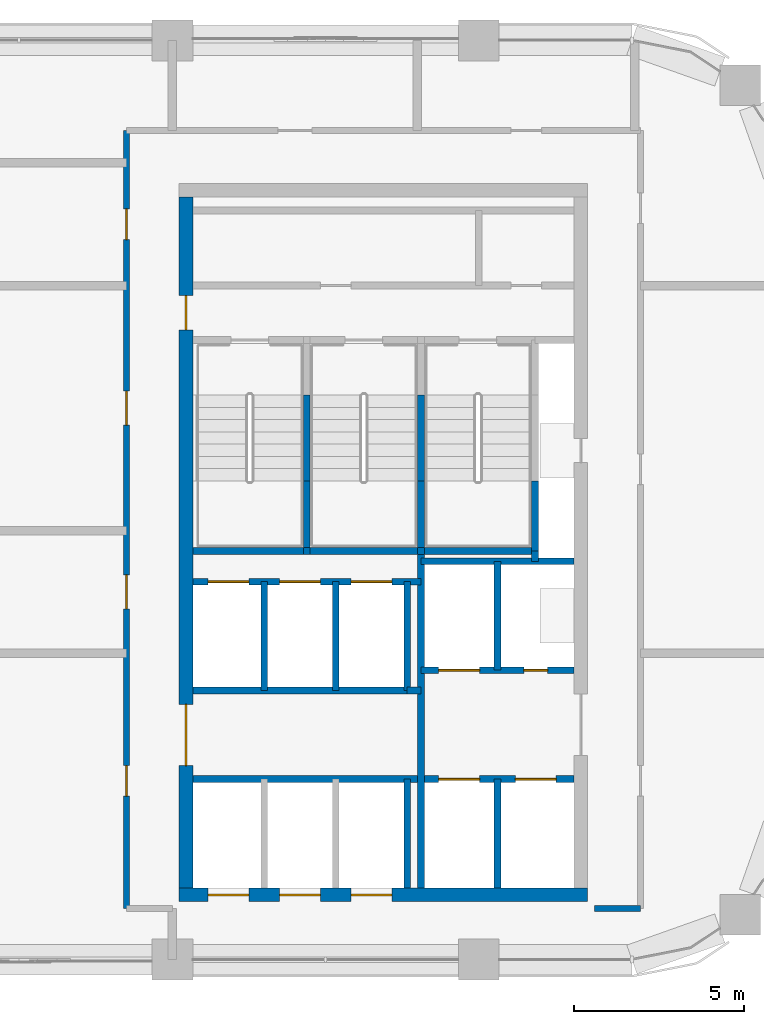
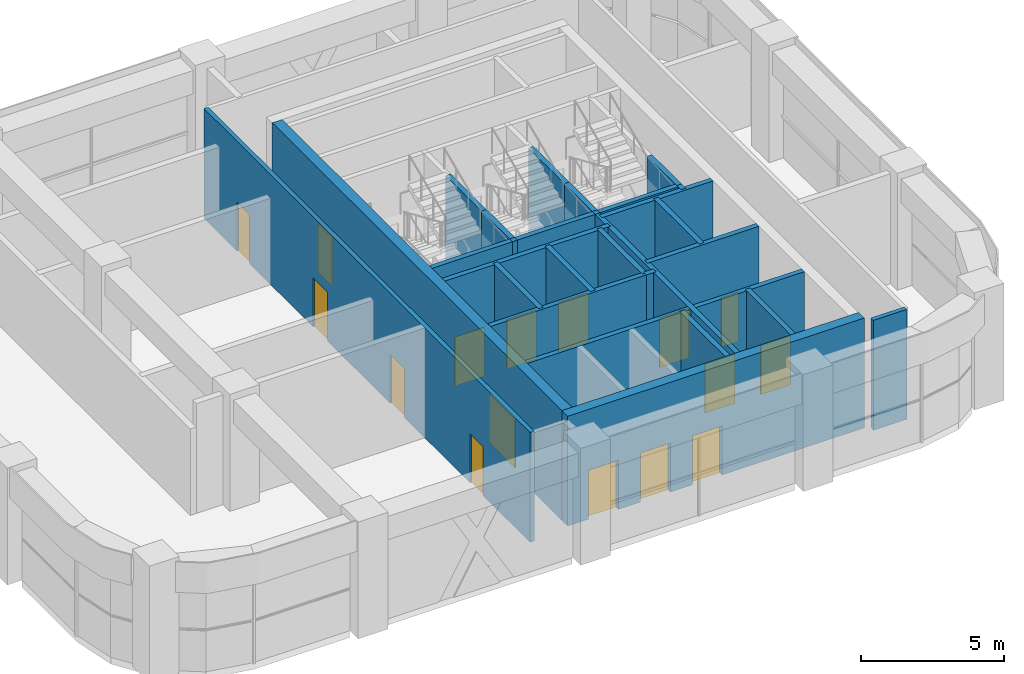
# One storey, part 8 of 15: 28 walls, 16 doors, 16 openings.
"""IFC4 building model written with IfcOpenShell, lengths in metres."""

from ifc_helpers import new_model, si_unit, direction, frame, frame_2d, origin, place, context, subcontext, project, spatial, rectangle, extrude, material, layer, layer_set, type_object, element, fill, save


model = new_model("IFC4")

# Units and contexts
model_context = context("Model", 3, precision=1e-05, world=origin(), true_north=direction((0.0, 1.0)))
body_context = subcontext(model_context, "Body", "Model", "MODEL_VIEW")
ifc_project = project(units=[si_unit("LENGTHUNIT", "METRE"), si_unit("AREAUNIT", "SQUARE_METRE"), si_unit("VOLUMEUNIT", "CUBIC_METRE"), si_unit("PLANEANGLEUNIT", "RADIAN"), si_unit("MASSUNIT", "GRAM", prefix="KILO")], contexts=[model_context])

# Site, building, storey
site_placement = place(None, origin())
site = spatial("IfcSite", under=ifc_project, at=site_placement, CompositionType="ELEMENT")
building_placement = place(site_placement, origin())
building = spatial("IfcBuilding", under=site, at=building_placement, Name="Tessera Arch", CompositionType="ELEMENT")
storey_placement = place(building_placement, frame((0.0, 0.0, 285.199951171875)))
storey = spatial("IfcBuildingStorey", under=building, at=storey_placement, Name="L69", CompositionType="ELEMENT", Elevation=285.199951171875)

# Wall
ifc_material_1 = material(Name="Gypsum board on steel stud", Category="steel")
ifc_layer_1 = layer(ifc_material_1, 0.125)
ifc_layer_set_1 = layer_set([ifc_layer_1], Name="Core partition 125 EI 60")
wall_type_1 = type_object("IfcWallType", Name="Core partition 125 EI 60", PredefinedType="PARTITIONING", material=ifc_layer_set_1)
wall_1_placement = place(storey_placement, frame((42.89990234375, 34.89990234375, 0.0), z_axis=(0.0, 0.0, 1.0), x_axis=(1.0, 0.0, 0.0)))
element("IfcWall", 1, at=wall_1_placement, inside=storey, type_object=wall_type_1, Name="L69 C1 partition wall 22", PredefinedType="PARTITIONING", context=body_context, shape_type="SweptSolid", body=[
    extrude(rectangle(XDim=0.400146484375, YDim=0.199951171875, at=frame_2d((0.2001953125, 0.0))), origin(), (0.0, 0.0, 1.0), 4.699951171875),
])

# Wall, openings, doors
ifc_material_2 = material(Name="Concrete C50/60", Category="concrete")
ifc_layer_2 = layer(ifc_material_2, 0.39990234375)
ifc_layer_set_2 = layer_set([ifc_layer_2], Name="Core shell wall 400 C50-60")
wall_type_2 = type_object("IfcWallType", Name="Core shell wall 400 C50-60", PredefinedType="SHEAR", material=ifc_layer_set_2)
wall_2_placement = place(storey_placement, frame((36.199951171875, 28.89990234375, 0.0), z_axis=(0.0, 0.0, 1.0), x_axis=(1.0, 0.0, 0.0)))
wall_2 = element("IfcWall", 2, at=wall_2_placement, inside=storey, type_object=wall_type_2, Name="L69 C1 core wall S", PredefinedType="SHEAR", context=body_context, shape_type="SweptSolid", body=[
    extrude(rectangle(XDim=12.0, YDim=0.39990234375, at=frame_2d((6.0, 0.0))), origin(), (0.0, 0.0, 1.0), 4.699951171875),
])
opening_1_placement = place(wall_2_placement, frame((0.85009765625, 0.0, 0.0)))
opening_1 = element("IfcOpeningElement", 3, at=opening_1_placement, cuts=wall_2, Name="Opening L69-C01", PredefinedType="OPENING", context=body_context, shape_type="SweptSolid", body=[
    extrude(rectangle(XDim=1.199951171875, YDim=2.10009765625, at=frame_2d((0.60009765625, 1.050048828125))), frame((0.0, 0.2099609375, 0.0), z_axis=(0.0, -1.0, 0.0), x_axis=(1.0, 0.0, 0.0)), (0.0, 0.0, 1.0), 0.419921875),
])
opening_2_placement = place(wall_2_placement, frame((2.949951171875, 0.0, 0.0)))
opening_2 = element("IfcOpeningElement", 4, at=opening_2_placement, cuts=wall_2, Name="Opening L69-C03", PredefinedType="OPENING", context=body_context, shape_type="SweptSolid", body=[
    extrude(rectangle(XDim=1.199951171875, YDim=2.10009765625, at=frame_2d((0.60009765625, 1.050048828125))), frame((0.0, 0.2099609375, 0.0), z_axis=(0.0, -1.0, 0.0), x_axis=(1.0, 0.0, 0.0)), (0.0, 0.0, 1.0), 0.419921875),
])
opening_3_placement = place(wall_2_placement, frame((5.050048828125, 0.0, 0.0)))
opening_3 = element("IfcOpeningElement", 5, at=opening_3_placement, cuts=wall_2, Name="Opening L69-C05", PredefinedType="OPENING", context=body_context, shape_type="SweptSolid", body=[
    extrude(rectangle(XDim=1.199951171875, YDim=2.10009765625, at=frame_2d((0.60009765625, 1.050048828125))), frame((0.0, 0.2099609375, 0.0), z_axis=(0.0, -1.0, 0.0), x_axis=(1.0, 0.0, 0.0)), (0.0, 0.0, 1.0), 0.419921875),
])
ifc_material_3 = material(Name="Stainless steel AISI 304", Category="steel")
door_type_1 = type_object("IfcDoorType", Name="Sliding landing door 1200 x 2100", OperationType="SLIDING_TO_LEFT", PredefinedType="DOOR", material=ifc_material_3)
door_1_placement = place(opening_1_placement, origin())
door_1 = element("IfcDoor", 6, at=door_1_placement, inside=storey, type_object=door_type_1, Name="L69 HR1 lift landing door C01 type LD", OperationType="SLIDING_TO_LEFT", OverallHeight=2.10009765625, OverallWidth=1.199951171875, PredefinedType="DOOR", context=body_context, shape_type="SweptSolid", body=[
    extrude(rectangle(XDim=1.199951171875, YDim=2.10009765625, at=frame_2d((0.60009765625, 1.050048828125))), frame((0.0, 0.02490234375, 0.0), z_axis=(0.0, -1.0, 0.0), x_axis=(1.0, 0.0, 0.0)), (0.0, 0.0, 1.0), 0.050048828125),
])
fill(opening_1, door_1)
door_2_placement = place(opening_2_placement, origin())
door_2 = element("IfcDoor", 7, at=door_2_placement, inside=storey, type_object=door_type_1, Name="L69 HR2 lift landing door C03 type LD", OperationType="SLIDING_TO_LEFT", OverallHeight=2.10009765625, OverallWidth=1.199951171875, PredefinedType="DOOR", context=body_context, shape_type="SweptSolid", body=[
    extrude(rectangle(XDim=1.199951171875, YDim=2.10009765625, at=frame_2d((0.60009765625, 1.050048828125))), frame((0.0, 0.02490234375, 0.0), z_axis=(0.0, -1.0, 0.0), x_axis=(1.0, 0.0, 0.0)), (0.0, 0.0, 1.0), 0.050048828125),
])
fill(opening_2, door_2)
door_3_placement = place(opening_3_placement, origin())
door_3 = element("IfcDoor", 8, at=door_3_placement, inside=storey, type_object=door_type_1, Name="L69 HR3 lift landing door C05 type LD", OperationType="SLIDING_TO_LEFT", OverallHeight=2.10009765625, OverallWidth=1.199951171875, PredefinedType="DOOR", context=body_context, shape_type="SweptSolid", body=[
    extrude(rectangle(XDim=1.199951171875, YDim=2.10009765625, at=frame_2d((0.60009765625, 1.050048828125))), frame((0.0, 0.02490234375, 0.0), z_axis=(0.0, -1.0, 0.0), x_axis=(1.0, 0.0, 0.0)), (0.0, 0.0, 1.0), 0.050048828125),
])
fill(opening_3, door_3)

wall_3_placement = place(storey_placement, frame((36.39990234375, 29.10009765625, 0.0), z_axis=(0.0, 0.0, 1.0), x_axis=(0.0, 1.0, 0.0)))
wall_3 = element("IfcWall", 9, at=wall_3_placement, inside=storey, type_object=wall_type_2, Name="L69 C1 core wall W", PredefinedType="SHEAR", context=body_context, shape_type="SweptSolid", body=[
    extrude(rectangle(XDim=20.2998046875, YDim=0.39990234375, at=frame_2d((10.14990234375, 0.0))), origin(), (0.0, 0.0, 1.0), 4.699951171875),
])
opening_4_placement = place(wall_3_placement, frame((3.60009765625, 0.0, 0.0)))
opening_4 = element("IfcOpeningElement", 10, at=opening_4_placement, cuts=wall_3, Name="Opening L69-C10", PredefinedType="OPENING", context=body_context, shape_type="SweptSolid", body=[
    extrude(rectangle(XDim=1.800048828125, YDim=2.10009765625, at=frame_2d((0.89990234375, 1.050048828125))), frame((0.0, 0.2099609375, 0.0), z_axis=(0.0, -1.0, 0.0), x_axis=(1.0, 0.0, 0.0)), (0.0, 0.0, 1.0), 0.419921875),
])
opening_5_placement = place(wall_3_placement, frame((16.39990234375, 0.0, 0.0)))
opening_5 = element("IfcOpeningElement", 11, at=opening_5_placement, cuts=wall_3, Name="Opening L69-C17", PredefinedType="OPENING", context=body_context, shape_type="SweptSolid", body=[
    extrude(rectangle(XDim=1.0, YDim=2.10009765625, at=frame_2d((0.5, 1.050048828125))), frame((0.0, 0.2099609375, 0.0), z_axis=(0.0, -1.0, 0.0), x_axis=(1.0, 0.0, 0.0)), (0.0, 0.0, 1.0), 0.419921875),
])
ifc_material_4 = material(Name="Steel door leaf", Category="steel")
door_type_2 = type_object("IfcDoorType", Name="Corridor door FD60 1000 x 2100", OperationType="SINGLE_SWING_LEFT", PredefinedType="DOOR", material=ifc_material_4)
door_4_placement = place(opening_5_placement, origin())
door_4 = element("IfcDoor", 12, at=door_4_placement, inside=storey, type_object=door_type_2, Name="L69 C1 door 17 C17 type D12", OperationType="SINGLE_SWING_RIGHT", OverallHeight=2.10009765625, OverallWidth=1.0, PredefinedType="DOOR", context=body_context, shape_type="SweptSolid", body=[
    extrude(rectangle(XDim=1.0, YDim=2.10009765625, at=frame_2d((0.5, 1.050048828125))), frame((0.0, 0.02490234375, 0.0), z_axis=(0.0, -1.0, 0.0), x_axis=(1.0, 0.0, 0.0)), (0.0, 0.0, 1.0), 0.050048828125),
])
fill(opening_5, door_4)
ifc_material_5 = material(Name="Glazed steel door leaf", Category="steel")
door_type_3 = type_object("IfcDoorType", Name="Lobby double door FD30S 1800 x 2100", OperationType="DOUBLE_DOOR_SINGLE_SWING", PredefinedType="DOOR", material=ifc_material_5)
door_5_placement = place(opening_4_placement, origin())
door_5 = element("IfcDoor", 13, at=door_5_placement, inside=storey, type_object=door_type_3, Name="L69 C1 door 10 C10 type D06", OperationType="DOUBLE_DOOR_SINGLE_SWING", OverallHeight=2.10009765625, OverallWidth=1.800048828125, PredefinedType="DOOR", context=body_context, shape_type="SweptSolid", body=[
    extrude(rectangle(XDim=1.800048828125, YDim=2.10009765625, at=frame_2d((0.89990234375, 1.050048828125))), frame((0.0, 0.02490234375, 0.0), z_axis=(0.0, -1.0, 0.0), x_axis=(1.0, 0.0, 0.0)), (0.0, 0.0, 1.0), 0.050048828125),
])
fill(opening_4, door_5)

# Wall
ifc_material_6 = material(Name="Gypsum board on deep steel stud with mineral wool", Category="steel")
ifc_layer_3 = layer(ifc_material_6, 0.175048828125)
ifc_layer_set_3 = layer_set([ifc_layer_3], Name="Corridor wall 175 EI 60")
wall_type_3 = type_object("IfcWallType", Name="Corridor wall 175 EI 60", PredefinedType="PARTITIONING", material=ifc_layer_set_3)
wall_4_placement = place(storey_placement, frame((48.39990234375, 28.5, 0.0), z_axis=(0.0, 0.0, 1.0), x_axis=(1.0, 0.0, 0.0)))
element("IfcWall", 14, at=wall_4_placement, inside=storey, type_object=wall_type_3, Name="L69 partition 2", PredefinedType="PARTITIONING", context=body_context, shape_type="SweptSolid", body=[
    extrude(rectangle(XDim=1.35009765625, YDim=0.175048828125, at=frame_2d((0.675048828125, 0.0))), origin(), (0.0, 0.0, 1.0), 4.699951171875),
])

# Wall, openings, doors
wall_5_placement = place(storey_placement, frame((34.64990234375, 28.5, 0.0), z_axis=(0.0, 0.0, 1.0), x_axis=(0.0, 1.0, 0.0)))
wall_5 = element("IfcWall", 15, at=wall_5_placement, inside=storey, type_object=wall_type_3, Name="L69 partition 4", PredefinedType="PARTITIONING", context=body_context, shape_type="SweptSolid", body=[
    extrude(rectangle(XDim=22.85009765625, YDim=0.175048828125, at=frame_2d((11.425048828125, 0.0))), origin(), (0.0, 0.0, 1.0), 4.699951171875),
])
opening_6_placement = place(wall_5_placement, frame((3.300048828125, 0.0, 0.0)))
opening_6 = element("IfcOpeningElement", 16, at=opening_6_placement, cuts=wall_5, Name="Opening L69-D002", PredefinedType="OPENING", context=body_context, shape_type="SweptSolid", body=[
    extrude(rectangle(XDim=0.89990234375, YDim=2.10009765625, at=frame_2d((0.449951171875, 1.050048828125))), frame((0.0, 0.097412109375, 0.0), z_axis=(0.0, -1.0, 0.0), x_axis=(1.0, 0.0, 0.0)), (0.0, 0.0, 1.0), 0.195068359375),
])
opening_7_placement = place(wall_5_placement, frame((8.800048828125, 0.0, 0.0)))
opening_7 = element("IfcOpeningElement", 17, at=opening_7_placement, cuts=wall_5, Name="Opening L69-D003", PredefinedType="OPENING", context=body_context, shape_type="SweptSolid", body=[
    extrude(rectangle(XDim=1.0, YDim=2.10009765625, at=frame_2d((0.5, 1.050048828125))), frame((0.0, 0.097412109375, 0.0), z_axis=(0.0, -1.0, 0.0), x_axis=(1.0, 0.0, 0.0)), (0.0, 0.0, 1.0), 0.195068359375),
])
opening_8_placement = place(wall_5_placement, frame((14.199951171875, 0.0, 0.0)))
opening_8 = element("IfcOpeningElement", 18, at=opening_8_placement, cuts=wall_5, Name="Opening L69-D005", PredefinedType="OPENING", context=body_context, shape_type="SweptSolid", body=[
    extrude(rectangle(XDim=1.0, YDim=2.10009765625, at=frame_2d((0.5, 1.050048828125))), frame((0.0, 0.097412109375, 0.0), z_axis=(0.0, -1.0, 0.0), x_axis=(1.0, 0.0, 0.0)), (0.0, 0.0, 1.0), 0.195068359375),
])
opening_9_placement = place(wall_5_placement, frame((19.64990234375, 0.0, 0.0)))
opening_9 = element("IfcOpeningElement", 19, at=opening_9_placement, cuts=wall_5, Name="Opening L69-D006", PredefinedType="OPENING", context=body_context, shape_type="SweptSolid", body=[
    extrude(rectangle(XDim=0.89990234375, YDim=2.10009765625, at=frame_2d((0.449951171875, 1.050048828125))), frame((0.0, 0.097412109375, 0.0), z_axis=(0.0, -1.0, 0.0), x_axis=(1.0, 0.0, 0.0)), (0.0, 0.0, 1.0), 0.195068359375),
])
ifc_material_7 = material(Name="Fire-rated door leaf")
door_type_4 = type_object("IfcDoorType", Name="Entrance door FD30S 1000 x 2100", OperationType="SINGLE_SWING_LEFT", PredefinedType="DOOR", material=ifc_material_7)
door_6_placement = place(opening_7_placement, origin())
door_6 = element("IfcDoor", 20, at=door_6_placement, inside=storey, type_object=door_type_4, Name="L69 door D003 type D03", OperationType="SINGLE_SWING_LEFT", OverallHeight=2.10009765625, OverallWidth=1.0, PredefinedType="DOOR", context=body_context, shape_type="SweptSolid", body=[
    extrude(rectangle(XDim=1.0, YDim=2.10009765625, at=frame_2d((0.5, 1.050048828125))), frame((0.0, 0.02490234375, 0.0), z_axis=(0.0, -1.0, 0.0), x_axis=(1.0, 0.0, 0.0)), (0.0, 0.0, 1.0), 0.050048828125),
])
fill(opening_7, door_6)
door_7_placement = place(opening_8_placement, origin())
door_7 = element("IfcDoor", 21, at=door_7_placement, inside=storey, type_object=door_type_4, Name="L69 door D005 type D03", OperationType="SINGLE_SWING_LEFT", OverallHeight=2.10009765625, OverallWidth=1.0, PredefinedType="DOOR", context=body_context, shape_type="SweptSolid", body=[
    extrude(rectangle(XDim=1.0, YDim=2.10009765625, at=frame_2d((0.5, 1.050048828125))), frame((0.0, 0.02490234375, 0.0), z_axis=(0.0, -1.0, 0.0), x_axis=(1.0, 0.0, 0.0)), (0.0, 0.0, 1.0), 0.050048828125),
])
fill(opening_8, door_7)
ifc_material_8 = material(Name="Timber door leaf", Category="wood")
door_type_5 = type_object("IfcDoorType", Name="Room door 900 x 2100", OperationType="SINGLE_SWING_LEFT", PredefinedType="DOOR", material=ifc_material_8)
door_8_placement = place(opening_6_placement, origin())
door_8 = element("IfcDoor", 22, at=door_8_placement, inside=storey, type_object=door_type_5, Name="L69 door D002 type D01", OperationType="SINGLE_SWING_RIGHT", OverallHeight=2.10009765625, OverallWidth=0.89990234375, PredefinedType="DOOR", context=body_context, shape_type="SweptSolid", body=[
    extrude(rectangle(XDim=0.89990234375, YDim=2.10009765625, at=frame_2d((0.449951171875, 1.050048828125))), frame((0.0, 0.02490234375, 0.0), z_axis=(0.0, -1.0, 0.0), x_axis=(1.0, 0.0, 0.0)), (0.0, 0.0, 1.0), 0.050048828125),
])
fill(opening_6, door_8)
door_9_placement = place(opening_9_placement, origin())
door_9 = element("IfcDoor", 23, at=door_9_placement, inside=storey, type_object=door_type_5, Name="L69 door D006 type D01", OperationType="SINGLE_SWING_RIGHT", OverallHeight=2.10009765625, OverallWidth=0.89990234375, PredefinedType="DOOR", context=body_context, shape_type="SweptSolid", body=[
    extrude(rectangle(XDim=0.89990234375, YDim=2.10009765625, at=frame_2d((0.449951171875, 1.050048828125))), frame((0.0, 0.02490234375, 0.0), z_axis=(0.0, -1.0, 0.0), x_axis=(1.0, 0.0, 0.0)), (0.0, 0.0, 1.0), 0.050048828125),
])
fill(opening_9, door_9)

# Walls
ifc_material_9 = material(Name="Concrete C40/50", Category="concrete")
ifc_layer_4 = layer(ifc_material_9, 0.199951171875)
ifc_layer_set_4 = layer_set([ifc_layer_4], Name="Shaft wall 200 EI 120")
wall_type_4 = type_object("IfcWallType", Name="Shaft wall 200 EI 120", PredefinedType="SOLIDWALL", material=ifc_layer_set_4)
for number, where, z_axis, x_axis, name in (
    (24, (38.699951171875, 34.89990234375, 0.0), (0.0, 0.0, 1.0), (0.0, 1.0, 0.0), "L69 C1 shaft wall 2"),
    (25, (40.800048828125, 34.89990234375, 0.0), (0.0, 0.0, 1.0), (0.0, 1.0, 0.0), "L69 C1 shaft wall 7"),
):
    element("IfcWall", number, at=place(storey_placement, frame(where, z_axis=z_axis, x_axis=x_axis)), inside=storey, type_object=wall_type_4, Name=name, PredefinedType="SOLIDWALL", context=body_context, shape_type="SweptSolid", body=[
        extrude(rectangle(XDim=3.2001953125, YDim=0.199951171875, at=frame_2d((1.60009765625, 0.0))), origin(), (0.0, 0.0, 1.0), 4.699951171875),
    ])
wall_6_placement = place(storey_placement, frame((42.89990234375, 29.10009765625, 0.0), z_axis=(0.0, 0.0, 1.0), x_axis=(0.0, 1.0, 0.0)))
element("IfcWall", 26, at=wall_6_placement, inside=storey, type_object=wall_type_4, Name="L69 C1 shaft wall 8", PredefinedType="SOLIDWALL", context=body_context, shape_type="SweptSolid", body=[
    extrude(rectangle(XDim=3.199951171875, YDim=0.199951171875, at=frame_2d((1.60009765625, 0.0))), origin(), (0.0, 0.0, 1.0), 4.699951171875),
])
wall_7_placement = place(storey_placement, frame((42.89990234375, 34.89990234375, 0.0), z_axis=(0.0, 0.0, 1.0), x_axis=(0.0, 1.0, 0.0)))
element("IfcWall", 27, at=wall_7_placement, inside=storey, type_object=wall_type_4, Name="L69 C1 shaft wall 9", PredefinedType="SOLIDWALL", context=body_context, shape_type="SweptSolid", body=[
    extrude(rectangle(XDim=3.2001953125, YDim=0.199951171875, at=frame_2d((1.60009765625, 0.0))), origin(), (0.0, 0.0, 1.0), 4.699951171875),
])
wall_8_placement = place(storey_placement, frame((43.300048828125, 29.10009765625, 0.0), z_axis=(0.0, 0.0, 1.0), x_axis=(0.0, 1.0, 0.0)))
element("IfcWall", 28, at=wall_8_placement, inside=storey, type_object=wall_type_4, Name="L69 C1 shaft wall 10", PredefinedType="SOLIDWALL", context=body_context, shape_type="SweptSolid", body=[
    extrude(rectangle(XDim=9.89990234375, YDim=0.199951171875, at=frame_2d((4.949951171875, 0.0))), origin(), (0.0, 0.0, 1.0), 4.699951171875),
])
for number, where, z_axis, x_axis, name in (
    (29, (45.550048828125, 29.10009765625, 0.0), (0.0, 0.0, 1.0), (0.0, 1.0, 0.0), "L69 C1 shaft wall 15"),
    (30, (45.550048828125, 35.5, 0.0), (0.0, 0.0, 1.0), (0.0, 1.0, 0.0), "L69 C1 shaft wall 16"),
):
    element("IfcWall", number, at=place(storey_placement, frame(where, z_axis=z_axis, x_axis=x_axis)), inside=storey, type_object=wall_type_4, Name=name, PredefinedType="SOLIDWALL", context=body_context, shape_type="SweptSolid", body=[
        extrude(rectangle(XDim=3.199951171875, YDim=0.199951171875, at=frame_2d((1.60009765625, 0.0))), origin(), (0.0, 0.0, 1.0), 4.699951171875),
    ])
wall_9_placement = place(storey_placement, frame((46.64990234375, 38.699951171875, 0.0), z_axis=(0.0, 0.0, 1.0), x_axis=(0.0, 1.0, 0.0)))
element("IfcWall", 31, at=wall_9_placement, inside=storey, type_object=wall_type_4, Name="L69 C1 shaft wall 17", PredefinedType="SOLIDWALL", context=body_context, shape_type="SweptSolid", body=[
    extrude(rectangle(XDim=0.300048828125, YDim=0.199951171875, at=frame_2d((0.14990234375, 0.0))), origin(), (0.0, 0.0, 1.0), 4.699951171875),
])

# Wall, openings, doors
wall_10_placement = place(storey_placement, frame((36.60009765625, 32.300048828125, 0.0), z_axis=(0.0, 0.0, 1.0), x_axis=(1.0, 0.0, 0.0)))
wall_10 = element("IfcWall", 32, at=wall_10_placement, inside=storey, type_object=wall_type_4, Name="L69 C1 shaft wall 21", PredefinedType="SOLIDWALL", context=body_context, shape_type="SweptSolid", body=[
    extrude(rectangle(XDim=11.199951171875, YDim=0.199951171875, at=frame_2d((5.60009765625, 0.0))), origin(), (0.0, 0.0, 1.0), 4.699951171875),
])
opening_10_placement = place(wall_10_placement, frame((7.22509765625, 0.0, 0.0)))
opening_10 = element("IfcOpeningElement", 33, at=opening_10_placement, cuts=wall_10, Name="Opening L69-C07", PredefinedType="OPENING", context=body_context, shape_type="SweptSolid", body=[
    extrude(rectangle(XDim=1.199951171875, YDim=2.10009765625, at=frame_2d((0.60009765625, 1.050048828125))), frame((0.0, 0.10986328125, 0.0), z_axis=(0.0, -1.0, 0.0), x_axis=(1.0, 0.0, 0.0)), (0.0, 0.0, 1.0), 0.219970703125),
])
opening_11_placement = place(wall_10_placement, frame((9.47509765625, 0.0, 0.0)))
opening_11 = element("IfcOpeningElement", 34, at=opening_11_placement, cuts=wall_10, Name="Opening L69-C08", PredefinedType="OPENING", context=body_context, shape_type="SweptSolid", body=[
    extrude(rectangle(XDim=1.199951171875, YDim=2.10009765625, at=frame_2d((0.60009765625, 1.050048828125))), frame((0.0, 0.10986328125, 0.0), z_axis=(0.0, -1.0, 0.0), x_axis=(1.0, 0.0, 0.0)), (0.0, 0.0, 1.0), 0.219970703125),
])
door_10_placement = place(opening_10_placement, origin())
door_10 = element("IfcDoor", 35, at=door_10_placement, inside=storey, type_object=door_type_1, Name="L69 FF1 lift landing door C07 type LD", OperationType="SLIDING_TO_LEFT", OverallHeight=2.10009765625, OverallWidth=1.199951171875, PredefinedType="DOOR", context=body_context, shape_type="SweptSolid", body=[
    extrude(rectangle(XDim=1.199951171875, YDim=2.10009765625, at=frame_2d((0.60009765625, 1.050048828125))), frame((0.0, 0.02490234375, 0.0), z_axis=(0.0, -1.0, 0.0), x_axis=(1.0, 0.0, 0.0)), (0.0, 0.0, 1.0), 0.050048828125),
])
fill(opening_10, door_10)
door_11_placement = place(opening_11_placement, origin())
door_11 = element("IfcDoor", 36, at=door_11_placement, inside=storey, type_object=door_type_1, Name="L69 FF2 lift landing door C08 type LD", OperationType="SLIDING_TO_LEFT", OverallHeight=2.10009765625, OverallWidth=1.199951171875, PredefinedType="DOOR", context=body_context, shape_type="SweptSolid", body=[
    extrude(rectangle(XDim=1.199951171875, YDim=2.10009765625, at=frame_2d((0.60009765625, 1.050048828125))), frame((0.0, 0.02490234375, 0.0), z_axis=(0.0, -1.0, 0.0), x_axis=(1.0, 0.0, 0.0)), (0.0, 0.0, 1.0), 0.050048828125),
])
fill(opening_11, door_11)

# Wall
wall_11_placement = place(storey_placement, frame((36.60009765625, 34.89990234375, 0.0), z_axis=(0.0, 0.0, 1.0), x_axis=(1.0, 0.0, 0.0)))
element("IfcWall", 37, at=wall_11_placement, inside=storey, type_object=wall_type_4, Name="L69 C1 shaft wall 23", PredefinedType="SOLIDWALL", context=body_context, shape_type="SweptSolid", body=[
    extrude(rectangle(XDim=6.2998046875, YDim=0.199951171875, at=frame_2d((3.14990234375, 0.0))), origin(), (0.0, 0.0, 1.0), 4.699951171875),
])

# Wall, openings, doors
wall_12_placement = place(storey_placement, frame((43.300048828125, 35.5, 0.0), z_axis=(0.0, 0.0, 1.0), x_axis=(1.0, 0.0, 0.0)))
wall_12 = element("IfcWall", 38, at=wall_12_placement, inside=storey, type_object=wall_type_4, Name="L69 C1 shaft wall 24", PredefinedType="SOLIDWALL", context=body_context, shape_type="SweptSolid", body=[
    extrude(rectangle(XDim=4.5, YDim=0.199951171875, at=frame_2d((2.25, 0.0))), origin(), (0.0, 0.0, 1.0), 4.699951171875),
])
opening_12_placement = place(wall_12_placement, frame((0.52490234375, 0.0, 0.0)))
opening_12 = element("IfcOpeningElement", 39, at=opening_12_placement, cuts=wall_12, Name="Opening L69-C09", PredefinedType="OPENING", context=body_context, shape_type="SweptSolid", body=[
    extrude(rectangle(XDim=1.199951171875, YDim=2.10009765625, at=frame_2d((0.60009765625, 1.050048828125))), frame((0.0, 0.10986328125, 0.0), z_axis=(0.0, -1.0, 0.0), x_axis=(1.0, 0.0, 0.0)), (0.0, 0.0, 1.0), 0.219970703125),
])
opening_13_placement = place(wall_12_placement, frame((3.02490234375, 0.0, 0.0)))
opening_13 = element("IfcOpeningElement", 40, at=opening_13_placement, cuts=wall_12, Name="Opening L69-C16", PredefinedType="OPENING", context=body_context, shape_type="SweptSolid", body=[
    extrude(rectangle(XDim=0.699951171875, YDim=2.10009765625, at=frame_2d((0.35009765625, 1.050048828125))), frame((0.0, 0.10986328125, 0.0), z_axis=(0.0, -1.0, 0.0), x_axis=(1.0, 0.0, 0.0)), (0.0, 0.0, 1.0), 0.219970703125),
])
ifc_material_10 = material(Name="Steel door leaf", Category="steel")
door_type_6 = type_object("IfcDoorType", Name="Service shaft door FD60 700 x 2100", OperationType="SINGLE_SWING_LEFT", PredefinedType="DOOR", material=ifc_material_10)
door_12_placement = place(opening_13_placement, origin())
door_12 = element("IfcDoor", 41, at=door_12_placement, inside=storey, type_object=door_type_6, Name="L69 C1 door 16 C16 type D07", OperationType="SINGLE_SWING_RIGHT", OverallHeight=2.10009765625, OverallWidth=0.699951171875, PredefinedType="DOOR", context=body_context, shape_type="SweptSolid", body=[
    extrude(rectangle(XDim=0.699951171875, YDim=2.10009765625, at=frame_2d((0.35009765625, 1.050048828125))), frame((0.0, 0.02490234375, 0.0), z_axis=(0.0, -1.0, 0.0), x_axis=(1.0, 0.0, 0.0)), (0.0, 0.0, 1.0), 0.050048828125),
])
fill(opening_13, door_12)
door_13_placement = place(opening_12_placement, origin())
door_13 = element("IfcDoor", 42, at=door_13_placement, inside=storey, type_object=door_type_1, Name="L69 SV2 lift landing door C09 type LD", OperationType="SLIDING_TO_LEFT", OverallHeight=2.10009765625, OverallWidth=1.199951171875, PredefinedType="DOOR", context=body_context, shape_type="SweptSolid", body=[
    extrude(rectangle(XDim=1.199951171875, YDim=2.10009765625, at=frame_2d((0.60009765625, 1.050048828125))), frame((0.0, 0.02490234375, 0.0), z_axis=(0.0, -1.0, 0.0), x_axis=(1.0, 0.0, 0.0)), (0.0, 0.0, 1.0), 0.050048828125),
])
fill(opening_12, door_13)

wall_13_placement = place(storey_placement, frame((36.60009765625, 38.10009765625, 0.0), z_axis=(0.0, 0.0, 1.0), x_axis=(1.0, 0.0, 0.0)))
wall_13 = element("IfcWall", 43, at=wall_13_placement, inside=storey, type_object=wall_type_4, Name="L69 C1 shaft wall 25", PredefinedType="SOLIDWALL", context=body_context, shape_type="SweptSolid", body=[
    extrude(rectangle(XDim=6.699951171875, YDim=0.199951171875, at=frame_2d((3.35009765625, 0.0))), origin(), (0.0, 0.0, 1.0), 4.699951171875),
])
opening_14_placement = place(wall_13_placement, frame((0.449951171875, 0.0, 0.0)))
opening_14 = element("IfcOpeningElement", 44, at=opening_14_placement, cuts=wall_13, Name="Opening L69-C02", PredefinedType="OPENING", context=body_context, shape_type="SweptSolid", body=[
    extrude(rectangle(XDim=1.199951171875, YDim=2.10009765625, at=frame_2d((0.60009765625, 1.050048828125))), frame((0.0, 0.10986328125, 0.0), z_axis=(0.0, -1.0, 0.0), x_axis=(1.0, 0.0, 0.0)), (0.0, 0.0, 1.0), 0.219970703125),
])
opening_15_placement = place(wall_13_placement, frame((2.550048828125, 0.0, 0.0)))
opening_15 = element("IfcOpeningElement", 45, at=opening_15_placement, cuts=wall_13, Name="Opening L69-C04", PredefinedType="OPENING", context=body_context, shape_type="SweptSolid", body=[
    extrude(rectangle(XDim=1.199951171875, YDim=2.10009765625, at=frame_2d((0.60009765625, 1.050048828125))), frame((0.0, 0.10986328125, 0.0), z_axis=(0.0, -1.0, 0.0), x_axis=(1.0, 0.0, 0.0)), (0.0, 0.0, 1.0), 0.219970703125),
])
opening_16_placement = place(wall_13_placement, frame((4.64990234375, 0.0, 0.0)))
opening_16 = element("IfcOpeningElement", 46, at=opening_16_placement, cuts=wall_13, Name="Opening L69-C06", PredefinedType="OPENING", context=body_context, shape_type="SweptSolid", body=[
    extrude(rectangle(XDim=1.199951171875, YDim=2.10009765625, at=frame_2d((0.60009765625, 1.050048828125))), frame((0.0, 0.10986328125, 0.0), z_axis=(0.0, -1.0, 0.0), x_axis=(1.0, 0.0, 0.0)), (0.0, 0.0, 1.0), 0.219970703125),
])
door_14_placement = place(opening_14_placement, origin())
door_14 = element("IfcDoor", 47, at=door_14_placement, inside=storey, type_object=door_type_1, Name="L69 HR4 lift landing door C02 type LD", OperationType="SLIDING_TO_LEFT", OverallHeight=2.10009765625, OverallWidth=1.199951171875, PredefinedType="DOOR", context=body_context, shape_type="SweptSolid", body=[
    extrude(rectangle(XDim=1.199951171875, YDim=2.10009765625, at=frame_2d((0.60009765625, 1.050048828125))), frame((0.0, 0.02490234375, 0.0), z_axis=(0.0, -1.0, 0.0), x_axis=(1.0, 0.0, 0.0)), (0.0, 0.0, 1.0), 0.050048828125),
])
fill(opening_14, door_14)
door_15_placement = place(opening_15_placement, origin())
door_15 = element("IfcDoor", 48, at=door_15_placement, inside=storey, type_object=door_type_1, Name="L69 HR5 lift landing door C04 type LD", OperationType="SLIDING_TO_LEFT", OverallHeight=2.10009765625, OverallWidth=1.199951171875, PredefinedType="DOOR", context=body_context, shape_type="SweptSolid", body=[
    extrude(rectangle(XDim=1.199951171875, YDim=2.10009765625, at=frame_2d((0.60009765625, 1.050048828125))), frame((0.0, 0.02490234375, 0.0), z_axis=(0.0, -1.0, 0.0), x_axis=(1.0, 0.0, 0.0)), (0.0, 0.0, 1.0), 0.050048828125),
])
fill(opening_15, door_15)
door_16_placement = place(opening_16_placement, origin())
door_16 = element("IfcDoor", 49, at=door_16_placement, inside=storey, type_object=door_type_1, Name="L69 HR6 lift landing door C06 type LD", OperationType="SLIDING_TO_LEFT", OverallHeight=2.10009765625, OverallWidth=1.199951171875, PredefinedType="DOOR", context=body_context, shape_type="SweptSolid", body=[
    extrude(rectangle(XDim=1.199951171875, YDim=2.10009765625, at=frame_2d((0.60009765625, 1.050048828125))), frame((0.0, 0.02490234375, 0.0), z_axis=(0.0, -1.0, 0.0), x_axis=(1.0, 0.0, 0.0)), (0.0, 0.0, 1.0), 0.050048828125),
])
fill(opening_16, door_16)

# Walls
wall_14_placement = place(storey_placement, frame((43.300048828125, 38.699951171875, 0.0), z_axis=(0.0, 0.0, 1.0), x_axis=(1.0, 0.0, 0.0)))
element("IfcWall", 50, at=wall_14_placement, inside=storey, type_object=wall_type_4, Name="L69 C1 shaft wall 26", PredefinedType="SOLIDWALL", context=body_context, shape_type="SweptSolid", body=[
    extrude(rectangle(XDim=4.5, YDim=0.199951171875, at=frame_2d((2.25, 0.0))), origin(), (0.0, 0.0, 1.0), 4.699951171875),
])
ifc_material_11 = material(Name="Concrete C40/50", Category="concrete")
ifc_layer_5 = layer(ifc_material_11, 0.199951171875)
ifc_layer_set_5 = layer_set([ifc_layer_5], Name="Stair well wall 200 REI 180")
wall_type_5 = type_object("IfcWallType", Name="Stair well wall 200 REI 180", PredefinedType="SOLIDWALL", material=ifc_layer_set_5)
wall_15_placement = place(storey_placement, frame((39.949951171875, 39.0, 0.0), z_axis=(0.0, 0.0, 1.0), x_axis=(0.0, 1.0, 0.0)))
element("IfcWall", 51, at=wall_15_placement, inside=storey, type_object=wall_type_5, Name="L69 C1 shaft wall 3", PredefinedType="SOLIDWALL", context=body_context, shape_type="SweptSolid", body=[
    extrude(rectangle(XDim=2.06005859375, YDim=0.199951171875, at=frame_2d((1.030029296875, 0.0))), origin(), (0.0, 0.0, 1.0), 4.699951171875),
])
wall_16_placement = place(storey_placement, frame((39.949951171875, 41.06005859375, 0.0), z_axis=(0.0, 0.0, 1.0), x_axis=(0.0, 1.0, 0.0)))
element("IfcWall", 52, at=wall_16_placement, inside=storey, type_object=wall_type_5, Name="L69 C1 shaft wall 4", PredefinedType="SOLIDWALL", context=body_context, shape_type="SweptSolid", body=[
    extrude(rectangle(XDim=2.52001953125, YDim=0.199951171875, at=frame_2d((1.260009765625, 0.0))), origin(), (0.0, 0.0, 1.0), 4.699951171875),
])
wall_17_placement = place(storey_placement, frame((43.300048828125, 39.0, 0.0), z_axis=(0.0, 0.0, 1.0), x_axis=(0.0, 1.0, 0.0)))
element("IfcWall", 53, at=wall_17_placement, inside=storey, type_object=wall_type_5, Name="L69 C1 shaft wall 11", PredefinedType="SOLIDWALL", context=body_context, shape_type="SweptSolid", body=[
    extrude(rectangle(XDim=2.06005859375, YDim=0.199951171875, at=frame_2d((1.030029296875, 0.0))), origin(), (0.0, 0.0, 1.0), 4.699951171875),
])
wall_18_placement = place(storey_placement, frame((43.300048828125, 41.06005859375, 0.0), z_axis=(0.0, 0.0, 1.0), x_axis=(0.0, 1.0, 0.0)))
element("IfcWall", 54, at=wall_18_placement, inside=storey, type_object=wall_type_5, Name="L69 C1 shaft wall 12", PredefinedType="SOLIDWALL", context=body_context, shape_type="SweptSolid", body=[
    extrude(rectangle(XDim=2.52001953125, YDim=0.199951171875, at=frame_2d((1.260009765625, 0.0))), origin(), (0.0, 0.0, 1.0), 4.699951171875),
])
wall_19_placement = place(storey_placement, frame((46.64990234375, 39.0, 0.0), z_axis=(0.0, 0.0, 1.0), x_axis=(0.0, 1.0, 0.0)))
element("IfcWall", 55, at=wall_19_placement, inside=storey, type_object=wall_type_5, Name="L69 C1 shaft wall 18", PredefinedType="SOLIDWALL", context=body_context, shape_type="SweptSolid", body=[
    extrude(rectangle(XDim=2.06005859375, YDim=0.199951171875, at=frame_2d((1.030029296875, 0.0))), origin(), (0.0, 0.0, 1.0), 4.699951171875),
])
wall_20_placement = place(storey_placement, frame((36.60009765625, 39.0, 0.0), z_axis=(0.0, 0.0, 1.0), x_axis=(1.0, 0.0, 0.0)))
element("IfcWall", 56, at=wall_20_placement, inside=storey, type_object=wall_type_5, Name="L69 C1 shaft wall 27", PredefinedType="SOLIDWALL", context=body_context, shape_type="SweptSolid", body=[
    extrude(rectangle(XDim=3.25, YDim=0.199951171875, at=frame_2d((1.625, 0.0))), origin(), (0.0, 0.0, 1.0), 4.699951171875),
])
wall_21_placement = place(storey_placement, frame((39.85009765625, 39.0, 0.0), z_axis=(0.0, 0.0, 1.0), x_axis=(1.0, 0.0, 0.0)))
element("IfcWall", 57, at=wall_21_placement, inside=storey, type_object=wall_type_5, Name="L69 C1 shaft wall 28", PredefinedType="SOLIDWALL", context=body_context, shape_type="SweptSolid", body=[
    extrude(rectangle(XDim=0.199951171875, YDim=0.199951171875, at=frame_2d((0.10009765625, 0.0))), origin(), (0.0, 0.0, 1.0), 4.699951171875),
])
wall_22_placement = place(storey_placement, frame((40.050048828125, 39.0, 0.0), z_axis=(0.0, 0.0, 1.0), x_axis=(1.0, 0.0, 0.0)))
element("IfcWall", 58, at=wall_22_placement, inside=storey, type_object=wall_type_5, Name="L69 C1 shaft wall 29", PredefinedType="SOLIDWALL", context=body_context, shape_type="SweptSolid", body=[
    extrude(rectangle(XDim=3.14990234375, YDim=0.199951171875, at=frame_2d((1.574951171875, 0.0))), origin(), (0.0, 0.0, 1.0), 4.699951171875),
])
wall_23_placement = place(storey_placement, frame((43.199951171875, 39.0, 0.0), z_axis=(0.0, 0.0, 1.0), x_axis=(1.0, 0.0, 0.0)))
element("IfcWall", 59, at=wall_23_placement, inside=storey, type_object=wall_type_5, Name="L69 C1 shaft wall 30", PredefinedType="SOLIDWALL", context=body_context, shape_type="SweptSolid", body=[
    extrude(rectangle(XDim=0.199951171875, YDim=0.199951171875, at=frame_2d((0.10009765625, 0.0))), origin(), (0.0, 0.0, 1.0), 4.699951171875),
])
wall_24_placement = place(storey_placement, frame((43.39990234375, 39.0, 0.0), z_axis=(0.0, 0.0, 1.0), x_axis=(1.0, 0.0, 0.0)))
element("IfcWall", 60, at=wall_24_placement, inside=storey, type_object=wall_type_5, Name="L69 C1 shaft wall 31", PredefinedType="SOLIDWALL", context=body_context, shape_type="SweptSolid", body=[
    extrude(rectangle(XDim=3.25, YDim=0.199951171875, at=frame_2d((1.625, 0.0))), origin(), (0.0, 0.0, 1.0), 4.699951171875),
])

save(model, "model.ifc")
